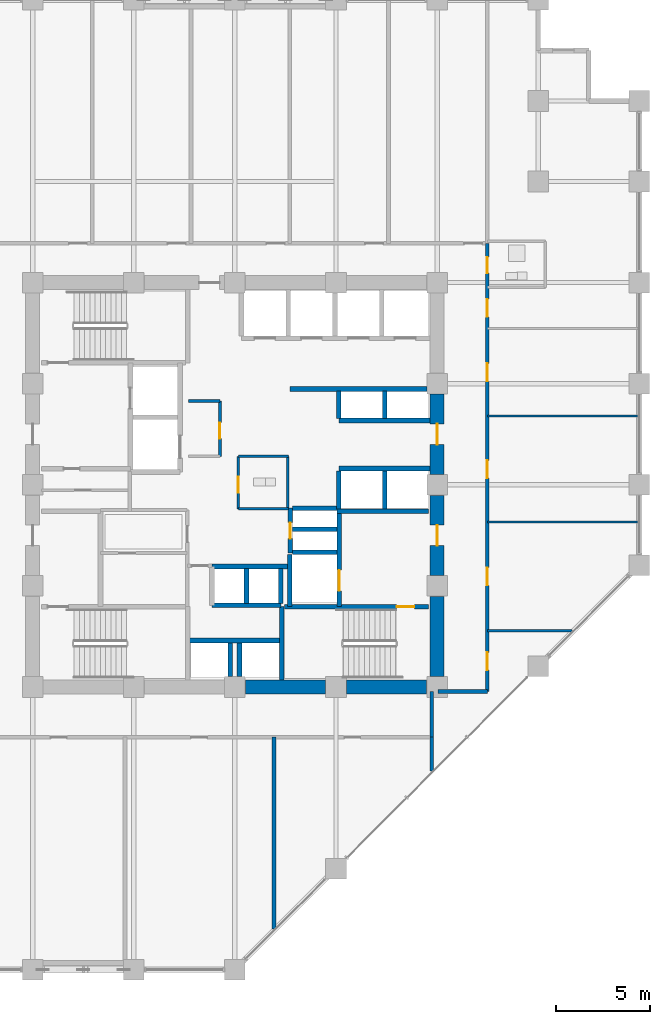
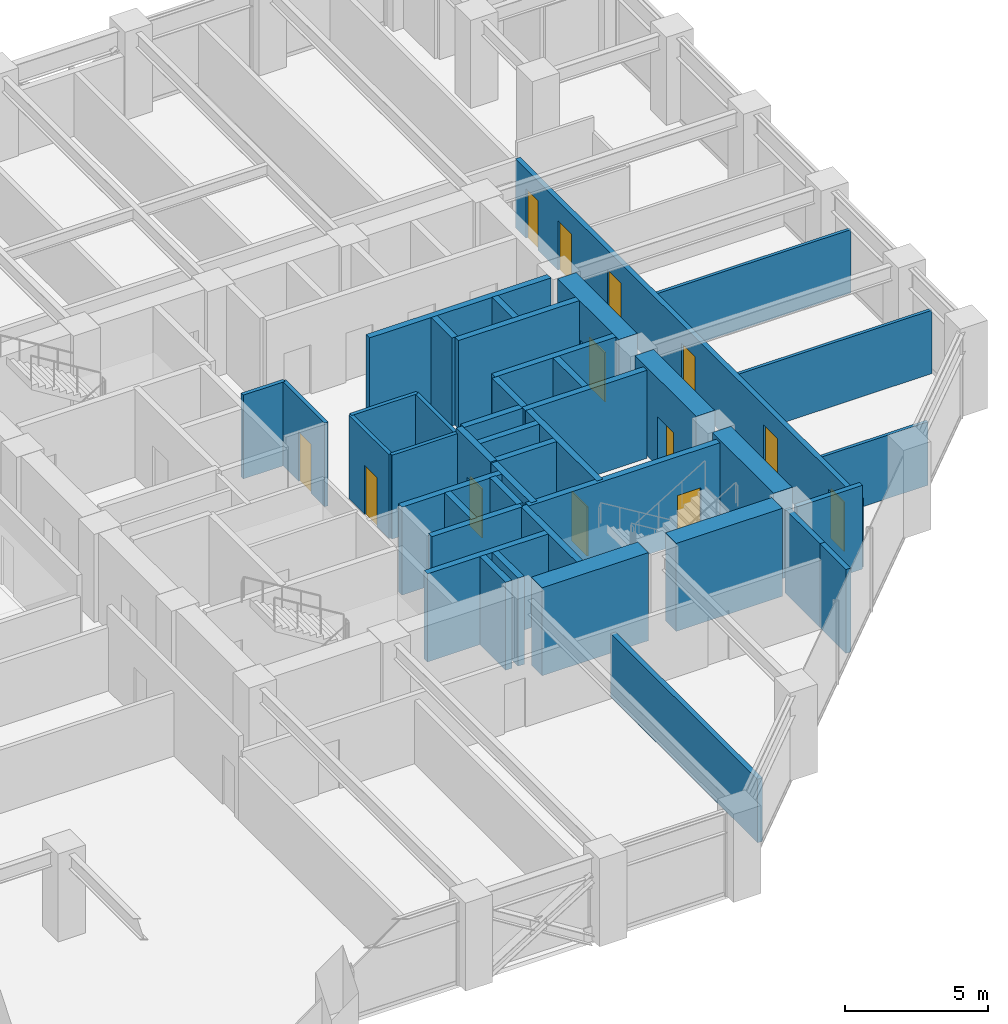
# One storey, part 20 of 25: 42 walls, 13 doors, 13 openings.
"""IFC4 building model written with IfcOpenShell, lengths in metres."""

from ifc_helpers import new_model, si_unit, direction, frame, frame_2d, origin, place, context, subcontext, project, spatial, rectangle, extrude, material, layer, layer_set, type_object, element, fill, save


model = new_model("IFC4")

# Units and contexts
model_context = context("Model", 3, precision=1e-05, world=origin(), true_north=direction((0.0, 1.0)))
body_context = subcontext(model_context, "Body", "Model", "MODEL_VIEW")
ifc_project = project(units=[si_unit("LENGTHUNIT", "METRE"), si_unit("AREAUNIT", "SQUARE_METRE"), si_unit("VOLUMEUNIT", "CUBIC_METRE"), si_unit("PLANEANGLEUNIT", "RADIAN"), si_unit("MASSUNIT", "GRAM", prefix="KILO")], contexts=[model_context])

# Site, building, storey
site_placement = place(None, origin())
site = spatial("IfcSite", under=ifc_project, at=site_placement, CompositionType="ELEMENT")
building_placement = place(site_placement, origin())
building = spatial("IfcBuilding", under=site, at=building_placement, Name="Surkhivell Harbour Commons", CompositionType="ELEMENT")
storey_placement = place(building_placement, frame((0.0, 0.0, 120.75)))
storey = spatial("IfcBuildingStorey", under=building, at=storey_placement, Name="L31", CompositionType="ELEMENT", Elevation=120.75)

# Wall
ifc_material_1 = material(Name="Concrete C60/75", Category="concrete")
ifc_layer_1 = layer(ifc_material_1, 0.75)
ifc_layer_set_1 = layer_set([ifc_layer_1], Name="Concrete C60/75")
wall_type_1 = type_object("IfcWallType", Name="WAL-CORE-750", PredefinedType="SHEAR", material=ifc_layer_set_1)
wall_1_placement = place(storey_placement, frame((10.800048828125, -10.239990234375, 0.0), z_axis=(0.0, 0.0, 1.0), x_axis=(0.0, 1.0, 0.0)))
element("IfcWall", 1, at=wall_1_placement, inside=storey, type_object=wall_type_1, Name="L31 Core Shear Wall East 1", PredefinedType="SHEAR", context=body_context, shape_type="SweptSolid", body=[
    extrude(rectangle(XDim=4.280029296875, YDim=0.75, at=frame_2d((2.14013671875, 0.0))), origin(), (0.0, 0.0, 1.0), 3.75),
])

# Wall, opening, door
wall_2_placement = place(storey_placement, frame((10.800048828125, -4.840087890625, 0.0), z_axis=(0.0, 0.0, 1.0), x_axis=(0.0, 1.0, 0.0)))
wall_2 = element("IfcWall", 2, at=wall_2_placement, inside=storey, type_object=wall_type_1, Name="L31 Core Shear Wall East 2", PredefinedType="SHEAR", context=body_context, shape_type="SweptSolid", body=[
    extrude(rectangle(XDim=4.280029296875, YDim=0.75, at=frame_2d((2.14013671875, 0.0))), origin(), (0.0, 0.0, 1.0), 3.75),
])
opening_1_placement = place(wall_2_placement, frame((1.590087890625, 0.0, 0.0)))
opening_1 = element("IfcOpeningElement", 3, at=opening_1_placement, cuts=wall_2, Name="Opening ID-1", PredefinedType="OPENING", context=body_context, shape_type="SweptSolid", body=[
    extrude(rectangle(XDim=1.10009765625, YDim=2.10009765625, at=frame_2d((0.550048828125, 1.050048828125))), frame((0.0, 0.385009765625, 0.0), z_axis=(0.0, -1.0, 0.0), x_axis=(1.0, 0.0, 0.0)), (0.0, 0.0, 1.0), 0.77001953125),
])
ifc_material_2 = material(Name="Hardwood-veneered fire-rated door leaf", Category="wood")
door_type_1 = type_object("IfcDoorType", Name="DOR-FD120-1100", OperationType="NOTDEFINED", PredefinedType="DOOR", material=ifc_material_2)
door_1_placement = place(opening_1_placement, origin())
door_1 = element("IfcDoor", 4, at=door_1_placement, inside=storey, type_object=door_type_1, Name="L31 Firefighting Lobby 2 Corridor Door", OperationType="SINGLE_SWING_RIGHT", OverallHeight=2.10009765625, OverallWidth=1.10009765625, PredefinedType="DOOR", context=body_context, shape_type="SweptSolid", body=[
    extrude(rectangle(XDim=1.10009765625, YDim=2.10009765625, at=frame_2d((0.550048828125, 1.050048828125))), frame((0.0, 0.02490234375, 0.0), z_axis=(0.0, -1.0, 0.0), x_axis=(1.0, 0.0, 0.0)), (0.0, 0.0, 1.0), 0.050048828125),
])
fill(opening_1, door_1)

# Wall
wall_3_placement = place(storey_placement, frame((0.56005859375, -10.800048828125, 0.0), z_axis=(0.0, 0.0, 1.0), x_axis=(1.0, 0.0, 0.0)))
element("IfcWall", 5, at=wall_3_placement, inside=storey, type_object=wall_type_1, Name="L31 Core Shear Wall South 3", PredefinedType="SHEAR", context=body_context, shape_type="SweptSolid", body=[
    extrude(rectangle(XDim=4.280029296875, YDim=0.75, at=frame_2d((2.14013671875, 0.0))), origin(), (0.0, 0.0, 1.0), 3.75),
])

# Wall, opening, door
wall_4_placement = place(storey_placement, frame((10.800048828125, 0.56005859375, 0.0), z_axis=(0.0, 0.0, 1.0), x_axis=(0.0, 1.0, 0.0)))
wall_4 = element("IfcWall", 6, at=wall_4_placement, inside=storey, type_object=wall_type_1, Name="L31 Core Shear Wall East 3", PredefinedType="SHEAR", context=body_context, shape_type="SweptSolid", body=[
    extrude(rectangle(XDim=4.280029296875, YDim=0.75, at=frame_2d((2.14013671875, 0.0))), origin(), (0.0, 0.0, 1.0), 3.75),
])
opening_2_placement = place(wall_4_placement, frame((1.590087890625, 0.0, 0.0)))
opening_2 = element("IfcOpeningElement", 7, at=opening_2_placement, cuts=wall_4, Name="Opening ID-2", PredefinedType="OPENING", context=body_context, shape_type="SweptSolid", body=[
    extrude(rectangle(XDim=1.10009765625, YDim=2.10009765625, at=frame_2d((0.550048828125, 1.050048828125))), frame((0.0, 0.385009765625, 0.0), z_axis=(0.0, -1.0, 0.0), x_axis=(1.0, 0.0, 0.0)), (0.0, 0.0, 1.0), 0.77001953125),
])
door_type_2 = type_object("IfcDoorType", Name="DOR-FD60-1100", OperationType="NOTDEFINED", PredefinedType="DOOR", material=ifc_material_2)
door_2_placement = place(opening_2_placement, origin())
door_2 = element("IfcDoor", 8, at=door_2_placement, inside=storey, type_object=door_type_2, Name="L31 Mid-Rise Lobby East Door", OperationType="SINGLE_SWING_LEFT", OverallHeight=2.10009765625, OverallWidth=1.10009765625, PredefinedType="DOOR", context=body_context, shape_type="SweptSolid", body=[
    extrude(rectangle(XDim=1.10009765625, YDim=2.10009765625, at=frame_2d((0.550048828125, 1.050048828125))), frame((0.0, 0.02490234375, 0.0), z_axis=(0.0, -1.0, 0.0), x_axis=(1.0, 0.0, 0.0)), (0.0, 0.0, 1.0), 0.050048828125),
])
fill(opening_2, door_2)

# Walls
wall_5_placement = place(storey_placement, frame((5.9599609375, -10.800048828125, 0.0), z_axis=(0.0, 0.0, 1.0), x_axis=(1.0, 0.0, 0.0)))
element("IfcWall", 9, at=wall_5_placement, inside=storey, type_object=wall_type_1, Name="L31 Core Shear Wall South 4", PredefinedType="SHEAR", context=body_context, shape_type="SweptSolid", body=[
    extrude(rectangle(XDim=4.280029296875, YDim=0.75, at=frame_2d((2.14013671875, 0.0))), origin(), (0.0, 0.0, 1.0), 3.75),
])
ifc_material_3 = material(Name="Moisture-resistant acoustic stud partition", Category="other")
ifc_layer_2 = layer(ifc_material_3, 0.125)
ifc_layer_set_2 = layer_set([ifc_layer_2], Name="Moisture-resistant acoustic stud partition")
wall_type_2 = type_object("IfcWallType", Name="WAL-INT-125", PredefinedType="PARTITIONING", material=ifc_layer_set_2)
for number, where, z_axis, x_axis, name in (
    (10, (13.47998046875, -1.989990234375, 0.0), (0.0, 0.0, 1.0), (1.0, 0.0, 0.0), "L31 East Partition BDP1"),
    (11, (13.47998046875, 3.669921875, 0.0), (0.0, 0.0, 1.0), (1.0, 0.0, 0.0), "L31 East Partition BDP2"),
):
    element("IfcWall", number, at=place(storey_placement, frame(where, z_axis=z_axis, x_axis=x_axis)), inside=storey, type_object=wall_type_2, Name=name, PredefinedType="PARTITIONING", context=body_context, shape_type="SweptSolid", body=[
        extrude(rectangle(XDim=8.06005859375, YDim=0.125, at=frame_2d((4.030029296875, 0.0))), origin(), (0.0, 0.0, 1.0), 2.698974609375),
    ])
wall_6_placement = place(storey_placement, frame((13.47998046875, -7.800048828125, 0.0), z_axis=(0.0, 0.0, 1.0), x_axis=(1.0, 0.0, 0.0)))
element("IfcWall", 12, at=wall_6_placement, inside=storey, type_object=wall_type_2, Name="L31 East Partition PBOT", PredefinedType="PARTITIONING", context=body_context, shape_type="SweptSolid", body=[
    extrude(rectangle(XDim=4.53515625, YDim=0.125, at=frame_2d((2.267578125, 0.0))), origin(), (0.0, 0.0, 1.0), 2.698974609375),
])
ifc_material_4 = material(Name="Twin-stud acoustic fireboard partition", Category="other")
ifc_layer_3 = layer(ifc_material_4, 0.14990234375)
ifc_layer_set_3 = layer_set([ifc_layer_3], Name="Twin-stud acoustic fireboard partition")
wall_type_3 = type_object("IfcWallType", Name="WAL-INT-150", PredefinedType="PARTITIONING", material=ifc_layer_set_3)
wall_7_placement = place(storey_placement, frame((2.820068359375, -1.25, 0.0), z_axis=(0.0, 0.0, 1.0), x_axis=(0.0, 1.0, 0.0)))
element("IfcWall", 13, at=wall_7_placement, inside=storey, type_object=wall_type_3, Name="L31 Core WC East Wall", PredefinedType="PARTITIONING", context=body_context, shape_type="SweptSolid", body=[
    extrude(rectangle(XDim=2.77001953125, YDim=0.14990234375, at=frame_2d((1.385009765625, 0.0))), origin(), (0.0, 0.0, 1.0), 3.570068359375),
])
for number, where, z_axis, x_axis, name in (
    (14, (0.179931640625, 1.52001953125, 0.0), (0.0, 0.0, 1.0), (1.0, 0.0, 0.0), "L31 Core WC North Wall"),
    (15, (0.179931640625, -1.280029296875, 0.0), (0.0, 0.0, 1.0), (1.0, 0.0, 0.0), "L31 Core WC South Wall"),
):
    element("IfcWall", number, at=place(storey_placement, frame(where, z_axis=z_axis, x_axis=x_axis)), inside=storey, type_object=wall_type_3, Name=name, PredefinedType="PARTITIONING", context=body_context, shape_type="SweptSolid", body=[
        extrude(rectangle(XDim=2.670166015625, YDim=0.14990234375, at=frame_2d((1.3349609375, 0.0))), origin(), (0.0, 0.0, 1.0), 3.570068359375),
    ])

# Wall, opening, door
wall_8_placement = place(storey_placement, frame((0.179931640625, -1.280029296875, 0.0), z_axis=(0.0, 0.0, 1.0), x_axis=(0.0, 1.0, 0.0)))
wall_8 = element("IfcWall", 16, at=wall_8_placement, inside=storey, type_object=wall_type_3, Name="L31 Core Accessible WC West Wall", PredefinedType="PARTITIONING", context=body_context, shape_type="SweptSolid", body=[
    extrude(rectangle(XDim=2.800048828125, YDim=0.14990234375, at=frame_2d((1.39990234375, 0.0))), origin(), (0.0, 0.0, 1.0), 3.570068359375),
])
opening_3_placement = place(wall_8_placement, frame((0.85009765625, 0.0, 0.0)))
opening_3 = element("IfcOpeningElement", 17, at=opening_3_placement, cuts=wall_8, Name="Opening ID-6", PredefinedType="OPENING", context=body_context, shape_type="SweptSolid", body=[
    extrude(rectangle(XDim=0.85009765625, YDim=2.10009765625, at=frame_2d((0.425048828125, 1.050048828125))), frame((0.0, 0.0849609375, 0.0), z_axis=(0.0, -1.0, 0.0), x_axis=(1.0, 0.0, 0.0)), (0.0, 0.0, 1.0), 0.169921875),
])
door_type_3 = type_object("IfcDoorType", Name="DOR-FD30-850", OperationType="NOTDEFINED", PredefinedType="DOOR", material=ifc_material_2)
door_3_placement = place(opening_3_placement, origin())
door_3 = element("IfcDoor", 18, at=door_3_placement, inside=storey, type_object=door_type_3, Name="L31 Floor Accessible WC Door", OperationType="SINGLE_SWING_RIGHT", OverallHeight=2.10009765625, OverallWidth=0.85009765625, PredefinedType="DOOR", context=body_context, shape_type="SweptSolid", body=[
    extrude(rectangle(XDim=0.85009765625, YDim=2.10009765625, at=frame_2d((0.425048828125, 1.050048828125))), frame((0.0, 0.02490234375, 0.0), z_axis=(0.0, -1.0, 0.0), x_axis=(1.0, 0.0, 0.0)), (0.0, 0.0, 1.0), 0.050048828125),
])
fill(opening_3, door_3)

wall_9_placement = place(storey_placement, frame((-0.800048828125, 1.52001953125, 0.0), z_axis=(0.0, 0.0, 1.0), x_axis=(0.0, 1.0, 0.0)))
wall_9 = element("IfcWall", 19, at=wall_9_placement, inside=storey, type_object=wall_type_3, Name="L31 Core Seminar East Wall", PredefinedType="PARTITIONING", context=body_context, shape_type="SweptSolid", body=[
    extrude(rectangle(XDim=2.9599609375, YDim=0.14990234375, at=frame_2d((1.47998046875, 0.0))), origin(), (0.0, 0.0, 1.0), 3.570068359375),
])
opening_4_placement = place(wall_9_placement, frame((0.949951171875, 0.0, 0.0)))
opening_4 = element("IfcOpeningElement", 20, at=opening_4_placement, cuts=wall_9, Name="Opening ID-6", PredefinedType="OPENING", context=body_context, shape_type="SweptSolid", body=[
    extrude(rectangle(XDim=0.85009765625, YDim=2.10009765625, at=frame_2d((0.425048828125, 1.050048828125))), frame((0.0, 0.0849609375, 0.0), z_axis=(0.0, -1.0, 0.0), x_axis=(1.0, 0.0, 0.0)), (0.0, 0.0, 1.0), 0.169921875),
])
door_4_placement = place(opening_4_placement, origin())
door_4 = element("IfcDoor", 21, at=door_4_placement, inside=storey, type_object=door_type_3, Name="L31 Central Seminar Door", OperationType="SINGLE_SWING_LEFT", OverallHeight=2.10009765625, OverallWidth=0.85009765625, PredefinedType="DOOR", context=body_context, shape_type="SweptSolid", body=[
    extrude(rectangle(XDim=0.85009765625, YDim=2.10009765625, at=frame_2d((0.425048828125, 1.050048828125))), frame((0.0, 0.02490234375, 0.0), z_axis=(0.0, -1.0, 0.0), x_axis=(1.0, 0.0, 0.0)), (0.0, 0.0, 1.0), 0.050048828125),
])
fill(opening_4, door_4)

# Walls
wall_10_placement = place(storey_placement, frame((-2.47998046875, 4.47998046875, 0.0), z_axis=(0.0, 0.0, 1.0), x_axis=(1.0, 0.0, 0.0)))
element("IfcWall", 22, at=wall_10_placement, inside=storey, type_object=wall_type_3, Name="L31 Core Seminar North Wall", PredefinedType="PARTITIONING", context=body_context, shape_type="SweptSolid", body=[
    extrude(rectangle(XDim=1.679931640625, YDim=0.14990234375, at=frame_2d((0.83984375, 0.0))), origin(), (0.0, 0.0, 1.0), 3.570068359375),
])
ifc_material_5 = material(Name="Autoclaved aerated concrete blockwork and fire plaster", Category="masonry")
ifc_layer_4 = layer(ifc_material_5, 0.199951171875)
ifc_layer_set_4 = layer_set([ifc_layer_4], Name="Autoclaved aerated concrete blockwork and fire plaster")
wall_type_4 = type_object("IfcWallType", Name="WAL-INT-200", PredefinedType="PARTITIONING", material=ifc_layer_set_4)
wall_11_placement = place(storey_placement, frame((10.52001953125, -15.295166015625, 0.0), z_axis=(0.0, 0.0, 1.0), x_axis=(0.0, 1.0, 0.0)))
element("IfcWall", 23, at=wall_11_placement, inside=storey, type_object=wall_type_4, Name="L31 South-East Wing Corner Divider", PredefinedType="PARTITIONING", context=body_context, shape_type="SweptSolid", body=[
    extrude(rectangle(XDim=1.815185546875, YDim=0.199951171875, at=frame_2d((0.90771484375, 0.0))), origin(), (0.0, 0.0, 1.0), 3.570068359375),
])

# Wall, openings, doors
wall_12_placement = place(storey_placement, frame((13.47998046875, -11.0400390625, 0.0), z_axis=(0.0, 0.0, 1.0), x_axis=(0.0, 1.0, 0.0)))
wall_12 = element("IfcWall", 24, at=wall_12_placement, inside=storey, type_object=wall_type_4, Name="L31 Corridor East Wall", PredefinedType="PARTITIONING", context=body_context, shape_type="SweptSolid", body=[
    extrude(rectangle(XDim=23.93994140625, YDim=0.199951171875, at=frame_2d((11.969970703125, 0.0))), origin(), (0.0, 0.0, 1.0), 2.93310546875),
])
opening_5_placement = place(wall_12_placement, frame((1.139892578125, 0.0, 0.0)))
opening_5 = element("IfcOpeningElement", 25, at=opening_5_placement, cuts=wall_12, Name="Opening ID-4", PredefinedType="OPENING", context=body_context, shape_type="SweptSolid", body=[
    extrude(rectangle(XDim=0.949951171875, YDim=2.10009765625, at=frame_2d((0.47509765625, 1.050048828125))), frame((0.0, 0.10986328125, 0.0), z_axis=(0.0, -1.0, 0.0), x_axis=(1.0, 0.0, 0.0)), (0.0, 0.0, 1.0), 0.219970703125),
])
opening_6_placement = place(wall_12_placement, frame((22.344970703125, 0.0, 0.0)))
opening_6 = element("IfcOpeningElement", 26, at=opening_6_placement, cuts=wall_12, Name="Opening ID-6", PredefinedType="OPENING", context=body_context, shape_type="SweptSolid", body=[
    extrude(rectangle(XDim=0.85009765625, YDim=2.10009765625, at=frame_2d((0.425048828125, 1.050048828125))), frame((0.0, 0.10986328125, 0.0), z_axis=(0.0, -1.0, 0.0), x_axis=(1.0, 0.0, 0.0)), (0.0, 0.0, 1.0), 0.219970703125),
])
opening_7_placement = place(wall_12_placement, frame((20.010009765625, 0.0, 0.0)))
opening_7 = element("IfcOpeningElement", 27, at=opening_7_placement, cuts=wall_12, Name="Opening ID-4", PredefinedType="OPENING", context=body_context, shape_type="SweptSolid", body=[
    extrude(rectangle(XDim=0.949951171875, YDim=2.10009765625, at=frame_2d((0.47509765625, 1.050048828125))), frame((0.0, 0.10986328125, 0.0), z_axis=(0.0, -1.0, 0.0), x_axis=(1.0, 0.0, 0.0)), (0.0, 0.0, 1.0), 0.219970703125),
])
opening_8_placement = place(wall_12_placement, frame((5.6650390625, 0.0, 0.0)))
opening_8 = element("IfcOpeningElement", 28, at=opening_8_placement, cuts=wall_12, Name="Opening ID-4", PredefinedType="OPENING", context=body_context, shape_type="SweptSolid", body=[
    extrude(rectangle(XDim=0.949951171875, YDim=2.10009765625, at=frame_2d((0.47509765625, 1.050048828125))), frame((0.0, 0.10986328125, 0.0), z_axis=(0.0, -1.0, 0.0), x_axis=(1.0, 0.0, 0.0)), (0.0, 0.0, 1.0), 0.219970703125),
])
opening_9_placement = place(wall_12_placement, frame((11.39990234375, 0.0, 0.0)))
opening_9 = element("IfcOpeningElement", 29, at=opening_9_placement, cuts=wall_12, Name="Opening ID-4", PredefinedType="OPENING", context=body_context, shape_type="SweptSolid", body=[
    extrude(rectangle(XDim=0.949951171875, YDim=2.10009765625, at=frame_2d((0.47509765625, 1.050048828125))), frame((0.0, 0.10986328125, 0.0), z_axis=(0.0, -1.0, 0.0), x_axis=(1.0, 0.0, 0.0)), (0.0, 0.0, 1.0), 0.219970703125),
])
opening_10_placement = place(wall_12_placement, frame((16.570068359375, 0.0, 0.0)))
opening_10 = element("IfcOpeningElement", 30, at=opening_10_placement, cuts=wall_12, Name="Opening ID-4", PredefinedType="OPENING", context=body_context, shape_type="SweptSolid", body=[
    extrude(rectangle(XDim=0.949951171875, YDim=2.10009765625, at=frame_2d((0.47509765625, 1.050048828125))), frame((0.0, 0.10986328125, 0.0), z_axis=(0.0, -1.0, 0.0), x_axis=(1.0, 0.0, 0.0)), (0.0, 0.0, 1.0), 0.219970703125),
])
door_5_placement = place(opening_6_placement, origin())
door_5 = element("IfcDoor", 31, at=door_5_placement, inside=storey, type_object=door_type_3, Name="L31 Communal Shower Bathroom East Door", OperationType="SINGLE_SWING_RIGHT", OverallHeight=2.10009765625, OverallWidth=0.85009765625, PredefinedType="DOOR", context=body_context, shape_type="SweptSolid", body=[
    extrude(rectangle(XDim=0.85009765625, YDim=2.10009765625, at=frame_2d((0.425048828125, 1.050048828125))), frame((0.0, 0.02490234375, 0.0), z_axis=(0.0, -1.0, 0.0), x_axis=(1.0, 0.0, 0.0)), (0.0, 0.0, 1.0), 0.050048828125),
])
fill(opening_6, door_5)
door_type_4 = type_object("IfcDoorType", Name="DOR-FD60-950", OperationType="NOTDEFINED", PredefinedType="DOOR", material=ifc_material_2)
door_6_placement = place(opening_5_placement, origin())
door_6 = element("IfcDoor", 32, at=door_6_placement, inside=storey, type_object=door_type_4, Name="L31 Shared Communal Kitchen East Door", OperationType="SINGLE_SWING_LEFT", OverallHeight=2.10009765625, OverallWidth=0.949951171875, PredefinedType="DOOR", context=body_context, shape_type="SweptSolid", body=[
    extrude(rectangle(XDim=0.949951171875, YDim=2.10009765625, at=frame_2d((0.47509765625, 1.050048828125))), frame((0.0, 0.02490234375, 0.0), z_axis=(0.0, -1.0, 0.0), x_axis=(1.0, 0.0, 0.0)), (0.0, 0.0, 1.0), 0.050048828125),
])
fill(opening_5, door_6)
door_7_placement = place(opening_7_placement, origin())
door_7 = element("IfcDoor", 33, at=door_7_placement, inside=storey, type_object=door_type_4, Name="L31 Academic Reading Commons East Door", OperationType="SINGLE_SWING_LEFT", OverallHeight=2.10009765625, OverallWidth=0.949951171875, PredefinedType="DOOR", context=body_context, shape_type="SweptSolid", body=[
    extrude(rectangle(XDim=0.949951171875, YDim=2.10009765625, at=frame_2d((0.47509765625, 1.050048828125))), frame((0.0, 0.02490234375, 0.0), z_axis=(0.0, -1.0, 0.0), x_axis=(1.0, 0.0, 0.0)), (0.0, 0.0, 1.0), 0.050048828125),
])
fill(opening_7, door_7)
door_8_placement = place(opening_8_placement, origin())
door_8 = element("IfcDoor", 34, at=door_8_placement, inside=storey, type_object=door_type_4, Name="L31 Hostel Cluster Bedroom 1 East Door", OperationType="SINGLE_SWING_RIGHT", OverallHeight=2.10009765625, OverallWidth=0.949951171875, PredefinedType="DOOR", context=body_context, shape_type="SweptSolid", body=[
    extrude(rectangle(XDim=0.949951171875, YDim=2.10009765625, at=frame_2d((0.47509765625, 1.050048828125))), frame((0.0, 0.02490234375, 0.0), z_axis=(0.0, -1.0, 0.0), x_axis=(1.0, 0.0, 0.0)), (0.0, 0.0, 1.0), 0.050048828125),
])
fill(opening_8, door_8)
door_9_placement = place(opening_9_placement, origin())
door_9 = element("IfcDoor", 35, at=door_9_placement, inside=storey, type_object=door_type_4, Name="L31 Co-Living Dormitory Bedroom 2 East Door", OperationType="SINGLE_SWING_LEFT", OverallHeight=2.10009765625, OverallWidth=0.949951171875, PredefinedType="DOOR", context=body_context, shape_type="SweptSolid", body=[
    extrude(rectangle(XDim=0.949951171875, YDim=2.10009765625, at=frame_2d((0.47509765625, 1.050048828125))), frame((0.0, 0.02490234375, 0.0), z_axis=(0.0, -1.0, 0.0), x_axis=(1.0, 0.0, 0.0)), (0.0, 0.0, 1.0), 0.050048828125),
])
fill(opening_9, door_9)
door_10_placement = place(opening_10_placement, origin())
door_10 = element("IfcDoor", 36, at=door_10_placement, inside=storey, type_object=door_type_4, Name="L31 Hostel Cluster Bedroom 3 East Door", OperationType="SINGLE_SWING_RIGHT", OverallHeight=2.10009765625, OverallWidth=0.949951171875, PredefinedType="DOOR", context=body_context, shape_type="SweptSolid", body=[
    extrude(rectangle(XDim=0.949951171875, YDim=2.10009765625, at=frame_2d((0.47509765625, 1.050048828125))), frame((0.0, 0.02490234375, 0.0), z_axis=(0.0, -1.0, 0.0), x_axis=(1.0, 0.0, 0.0)), (0.0, 0.0, 1.0), 0.050048828125),
])
fill(opening_10, door_10)

# Walls
wall_13_placement = place(storey_placement, frame((10.85009765625, -11.0400390625, 0.0), z_axis=(0.0, 0.0, 1.0), x_axis=(1.0, 0.0, 0.0)))
element("IfcWall", 37, at=wall_13_placement, inside=storey, type_object=wall_type_4, Name="L31 Corridor East South Closure Wall", PredefinedType="PARTITIONING", context=body_context, shape_type="SweptSolid", body=[
    extrude(rectangle(XDim=2.6298828125, YDim=0.199951171875, at=frame_2d((1.31494140625, 0.0))), origin(), (0.0, 0.0, 1.0), 3.570068359375),
])
wall_14_placement = place(storey_placement, frame((10.52001953125, -13.47998046875, 0.0), z_axis=(0.0, 0.0, 1.0), x_axis=(0.0, 1.0, 0.0)))
element("IfcWall", 38, at=wall_14_placement, inside=storey, type_object=wall_type_4, Name="L31 Corridor SE Closure Wall", PredefinedType="PARTITIONING", context=body_context, shape_type="SweptSolid", body=[
    extrude(rectangle(XDim=2.43994140625, YDim=0.199951171875, at=frame_2d((1.219970703125, 0.0))), origin(), (0.0, 0.0, 1.0), 3.570068359375),
])
wall_15_placement = place(storey_placement, frame((2.090087890625, -23.72509765625, 0.0), z_axis=(0.0, 0.0, 1.0), x_axis=(0.0, 1.0, 0.0)))
element("IfcWall", 39, at=wall_15_placement, inside=storey, type_object=wall_type_4, Name="L31 South Partition P2", PredefinedType="PARTITIONING", context=body_context, shape_type="SweptSolid", body=[
    extrude(rectangle(XDim=10.2451171875, YDim=0.199951171875, at=frame_2d((5.12255859375, 0.0))), origin(), (0.0, 0.0, 1.0), 2.698974609375),
])
ifc_material_6 = material(Name="Concrete C50/60", Category="concrete")
ifc_layer_5 = layer(ifc_material_6, 0.25)
ifc_layer_set_5 = layer_set([ifc_layer_5], Name="Concrete C50/60")
wall_type_5 = type_object("IfcWallType", Name="WAL-SHAFT-250", PredefinedType="SHEAR", material=ifc_layer_set_5)
wall_16_placement = place(storey_placement, frame((2.929931640625, -6.510009765625, 0.0), z_axis=(0.0, 0.0, 1.0), x_axis=(0.0, 1.0, 0.0)))
element("IfcWall", 40, at=wall_16_placement, inside=storey, type_object=wall_type_5, Name="L31 FFL2 West Shaft Wall", PredefinedType="SHEAR", context=body_context, shape_type="SweptSolid", body=[
    extrude(rectangle(XDim=2.7900390625, YDim=0.25, at=frame_2d((1.39501953125, 0.0))), origin(), (0.0, 0.0, 1.0), 3.75),
])
wall_17_placement = place(storey_placement, frame((5.43994140625, -1.419921875, 0.0), z_axis=(0.0, 0.0, 1.0), x_axis=(1.0, 0.0, 0.0)))
element("IfcWall", 41, at=wall_17_placement, inside=storey, type_object=wall_type_5, Name="L31 Firefighting Lobby 2 North Wall", PredefinedType="SHEAR", context=body_context, shape_type="SweptSolid", body=[
    extrude(rectangle(XDim=4.900146484375, YDim=0.25, at=frame_2d((2.4501953125, 0.0))), origin(), (0.0, 0.0, 1.0), 3.75),
])
wall_18_placement = place(storey_placement, frame((3.080078125, -3.60009765625, 0.0), z_axis=(0.0, 0.0, 1.0), x_axis=(1.0, 0.0, 0.0)))
element("IfcWall", 42, at=wall_18_placement, inside=storey, type_object=wall_type_5, Name="L31 FFL2 North Shaft Wall", PredefinedType="SHEAR", context=body_context, shape_type="SweptSolid", body=[
    extrude(rectangle(XDim=2.369873046875, YDim=0.25, at=frame_2d((1.18505859375, 0.0))), origin(), (0.0, 0.0, 1.0), 3.75),
])

# Wall, opening, door
wall_19_placement = place(storey_placement, frame((5.580078125, -6.510009765625, 0.0), z_axis=(0.0, 0.0, 1.0), x_axis=(0.0, 1.0, 0.0)))
wall_19 = element("IfcWall", 43, at=wall_19_placement, inside=storey, type_object=wall_type_5, Name="L31 Firefighting Lobby 2 West Shaft Wall", PredefinedType="SHEAR", context=body_context, shape_type="SweptSolid", body=[
    extrude(rectangle(XDim=5.090087890625, YDim=0.25, at=frame_2d((2.544921875, 0.0))), origin(), (0.0, 0.0, 1.0), 3.75),
])
opening_11_placement = place(wall_19_placement, frame((0.85009765625, 0.0, 0.0)))
opening_11 = element("IfcOpeningElement", 44, at=opening_11_placement, cuts=wall_19, Name="Opening LD-1", PredefinedType="OPENING", context=body_context, shape_type="SweptSolid", body=[
    extrude(rectangle(XDim=1.10009765625, YDim=2.10009765625, at=frame_2d((0.550048828125, 1.050048828125))), frame((0.0, 0.135009765625, 0.0), z_axis=(0.0, -1.0, 0.0), x_axis=(1.0, 0.0, 0.0)), (0.0, 0.0, 1.0), 0.27001953125),
])
ifc_material_7 = material(Name="Brushed stainless steel S355", Category="steel")
door_type_5 = type_object("IfcDoorType", Name="DOR-LD-1100", OperationType="SLIDING_TO_LEFT", PredefinedType="DOOR", material=ifc_material_7)
door_11_placement = place(opening_11_placement, origin())
door_11 = element("IfcDoor", 45, at=door_11_placement, inside=storey, type_object=door_type_5, Name="L31 Lift Landing Door LD-FFL2", OperationType="SLIDING_TO_RIGHT", OverallHeight=2.10009765625, OverallWidth=1.10009765625, PredefinedType="DOOR", context=body_context, shape_type="SweptSolid", body=[
    extrude(rectangle(XDim=1.10009765625, YDim=2.10009765625, at=frame_2d((0.550048828125, 1.050048828125))), frame((0.0, 0.02490234375, 0.0), z_axis=(0.0, -1.0, 0.0), x_axis=(1.0, 0.0, 0.0)), (0.0, 0.0, 1.0), 0.050048828125),
])
fill(opening_11, door_11)

# Walls
for number, where, z_axis, x_axis, name in (
    (46, (0.6201171875, -6.340087890625, 0.0), (0.0, 0.0, 1.0), (0.0, 1.0, 0.0), "L31 High-Rise Side Wall N"),
    (47, (2.449951171875, -6.340087890625, 0.0), (0.0, 0.0, 1.0), (0.0, 1.0, 0.0), "L31 High-Rise Side Wall N"),
):
    element("IfcWall", number, at=place(storey_placement, frame(where, z_axis=z_axis, x_axis=x_axis)), inside=storey, type_object=wall_type_5, Name=name, PredefinedType="SHEAR", context=body_context, shape_type="SweptSolid", body=[
        extrude(rectangle(XDim=1.880126953125, YDim=0.25, at=frame_2d((0.93994140625, 0.0))), origin(), (0.0, 0.0, 1.0), 3.75),
    ])
for number, where, z_axis, x_axis, name in (
    (48, (-0.25, -10.25, 0.0), (0.0, 0.0, 1.0), (0.0, 1.0, 0.0), "L31 High-Rise Side Wall S"),
    (49, (0.25, -10.25, 0.0), (0.0, 0.0, 1.0), (0.0, 1.0, 0.0), "L31 High-Rise Side Wall S"),
):
    element("IfcWall", number, at=place(storey_placement, frame(where, z_axis=z_axis, x_axis=x_axis)), inside=storey, type_object=wall_type_5, Name=name, PredefinedType="SHEAR", context=body_context, shape_type="SweptSolid", body=[
        extrude(rectangle(XDim=1.81005859375, YDim=0.25, at=frame_2d((0.905029296875, 0.0))), origin(), (0.0, 0.0, 1.0), 3.75),
    ])
wall_20_placement = place(storey_placement, frame((-1.219970703125, -6.43994140625, 0.0), z_axis=(0.0, 0.0, 1.0), x_axis=(1.0, 0.0, 0.0)))
element("IfcWall", 50, at=wall_20_placement, inside=storey, type_object=wall_type_5, Name="L31 High-Rise North Front Shaft Wall", PredefinedType="SHEAR", context=body_context, shape_type="SweptSolid", body=[
    extrude(rectangle(XDim=3.669921875, YDim=0.25, at=frame_2d((1.8349609375, 0.0))), origin(), (0.0, 0.0, 1.0), 3.75),
])
wall_21_placement = place(storey_placement, frame((-2.47998046875, -8.320068359375, 0.0), z_axis=(0.0, 0.0, 1.0), x_axis=(1.0, 0.0, 0.0)))
element("IfcWall", 51, at=wall_21_placement, inside=storey, type_object=wall_type_5, Name="L31 High-Rise South Front Shaft Wall", PredefinedType="SHEAR", context=body_context, shape_type="SweptSolid", body=[
    extrude(rectangle(XDim=4.929931640625, YDim=0.25, at=frame_2d((2.46484375, 0.0))), origin(), (0.0, 0.0, 1.0), 3.75),
])
wall_22_placement = place(storey_placement, frame((-1.219970703125, -4.360107421875, 0.0), z_axis=(0.0, 0.0, 1.0), x_axis=(1.0, 0.0, 0.0)))
element("IfcWall", 52, at=wall_22_placement, inside=storey, type_object=wall_type_5, Name="L31 High-Rise North Back Shaft Wall", PredefinedType="SHEAR", context=body_context, shape_type="SweptSolid", body=[
    extrude(rectangle(XDim=4.030029296875, YDim=0.25, at=frame_2d((2.01513671875, 0.0))), origin(), (0.0, 0.0, 1.0), 3.75),
])
wall_23_placement = place(storey_placement, frame((2.949951171875, 5.1201171875, 0.0), z_axis=(0.0, 0.0, 1.0), x_axis=(1.0, 0.0, 0.0)))
element("IfcWall", 53, at=wall_23_placement, inside=storey, type_object=wall_type_5, Name="L31 Low-Rise Lobby South Wall", PredefinedType="SHEAR", context=body_context, shape_type="SweptSolid", body=[
    extrude(rectangle(XDim=7.300048828125, YDim=0.25, at=frame_2d((3.64990234375, 0.0))), origin(), (0.0, 0.0, 1.0), 3.75),
])
for number, where, z_axis, x_axis, name in (
    (54, (5.550048828125, 3.550048828125, 0.0), (0.0, 0.0, 1.0), (0.0, 1.0, 0.0), "L31 Mid-Rise Shaft Side Wall N"),
    (55, (8.0, 3.550048828125, 0.0), (0.0, 0.0, 1.0), (0.0, 1.0, 0.0), "L31 Mid-Rise Shaft Side Wall N"),
):
    element("IfcWall", number, at=place(storey_placement, frame(where, z_axis=z_axis, x_axis=x_axis)), inside=storey, type_object=wall_type_5, Name=name, PredefinedType="SHEAR", context=body_context, shape_type="SweptSolid", body=[
        extrude(rectangle(XDim=1.449951171875, YDim=0.25, at=frame_2d((0.72509765625, 0.0))), origin(), (0.0, 0.0, 1.0), 3.75),
    ])
for number, where, z_axis, x_axis, name in (
    (56, (5.550048828125, -1.300048828125, 0.0), (0.0, 0.0, 1.0), (0.0, 1.0, 0.0), "L31 Mid-Rise Shaft Side Wall S"),
    (57, (8.0, -1.300048828125, 0.0), (0.0, 0.0, 1.0), (0.0, 1.0, 0.0), "L31 Mid-Rise Shaft Side Wall S"),
):
    element("IfcWall", number, at=place(storey_placement, frame(where, z_axis=z_axis, x_axis=x_axis)), inside=storey, type_object=wall_type_5, Name=name, PredefinedType="SHEAR", context=body_context, shape_type="SweptSolid", body=[
        extrude(rectangle(XDim=2.0400390625, YDim=0.25, at=frame_2d((1.02001953125, 0.0))), origin(), (0.0, 0.0, 1.0), 3.75),
    ])
for number, where, z_axis, x_axis, name in (
    (58, (5.550048828125, 3.429931640625, 0.0), (0.0, 0.0, 1.0), (1.0, 0.0, 0.0), "L31 Mid-Rise North Front Shaft Wall"),
    (59, (5.550048828125, 0.8701171875, 0.0), (0.0, 0.0, 1.0), (1.0, 0.0, 0.0), "L31 Mid-Rise South Front Shaft Wall"),
):
    element("IfcWall", number, at=place(storey_placement, frame(where, z_axis=z_axis, x_axis=x_axis)), inside=storey, type_object=wall_type_5, Name=name, PredefinedType="SHEAR", context=body_context, shape_type="SweptSolid", body=[
        extrude(rectangle(XDim=4.875, YDim=0.25, at=frame_2d((2.4375, 0.0))), origin(), (0.0, 0.0, 1.0), 3.75),
    ])
for number, where, z_axis, x_axis, name in (
    (60, (3.080078125, -2.3798828125, 0.0), (0.0, 0.0, 1.0), (1.0, 0.0, 0.0), "L31 Riser Divider Wall"),
    (61, (3.080078125, -1.25, 0.0), (0.0, 0.0, 1.0), (1.0, 0.0, 0.0), "L31 Riser North Wall"),
):
    element("IfcWall", number, at=place(storey_placement, frame(where, z_axis=z_axis, x_axis=x_axis)), inside=storey, type_object=wall_type_5, Name=name, PredefinedType="SHEAR", context=body_context, shape_type="SweptSolid", body=[
        extrude(rectangle(XDim=2.369873046875, YDim=0.25, at=frame_2d((1.18505859375, 0.0))), origin(), (0.0, 0.0, 1.0), 3.75),
    ])

# Wall, opening, door
wall_24_placement = place(storey_placement, frame((2.949951171875, -3.64990234375, 0.0), z_axis=(0.0, 0.0, 1.0), x_axis=(0.0, 1.0, 0.0)))
wall_24 = element("IfcWall", 62, at=wall_24_placement, inside=storey, type_object=wall_type_5, Name="L31 Riser Shaft West Wall", PredefinedType="SHEAR", context=body_context, shape_type="SweptSolid", body=[
    extrude(rectangle(XDim=2.39990234375, YDim=0.25, at=frame_2d((1.199951171875, 0.0))), origin(), (0.0, 0.0, 1.0), 3.75),
])
opening_12_placement = place(wall_24_placement, frame((0.77490234375, 0.0, 0.0)))
opening_12 = element("IfcOpeningElement", 63, at=opening_12_placement, cuts=wall_24, Name="Opening ID-6", PredefinedType="OPENING", context=body_context, shape_type="SweptSolid", body=[
    extrude(rectangle(XDim=0.85009765625, YDim=2.10009765625, at=frame_2d((0.425048828125, 1.050048828125))), frame((0.0, 0.135009765625, 0.0), z_axis=(0.0, -1.0, 0.0), x_axis=(1.0, 0.0, 0.0)), (0.0, 0.0, 1.0), 0.27001953125),
])
door_12_placement = place(opening_12_placement, origin())
door_12 = element("IfcDoor", 64, at=door_12_placement, inside=storey, type_object=door_type_3, Name="L31 Electrical Riser Access Door", OperationType="SINGLE_SWING_LEFT", OverallHeight=2.10009765625, OverallWidth=0.85009765625, PredefinedType="DOOR", context=body_context, shape_type="SweptSolid", body=[
    extrude(rectangle(XDim=0.85009765625, YDim=2.10009765625, at=frame_2d((0.425048828125, 1.050048828125))), frame((0.0, 0.02490234375, 0.0), z_axis=(0.0, -1.0, 0.0), x_axis=(1.0, 0.0, 0.0)), (0.0, 0.0, 1.0), 0.050048828125),
])
fill(opening_12, door_12)

wall_25_placement = place(storey_placement, frame((2.639892578125, -6.510009765625, 0.0), z_axis=(0.0, 0.0, 1.0), x_axis=(1.0, 0.0, 0.0)))
wall_25 = element("IfcWall", 65, at=wall_25_placement, inside=storey, type_object=wall_type_5, Name="L31 Stair ST2 North Shear Wall", PredefinedType="SHEAR", context=body_context, shape_type="SweptSolid", body=[
    extrude(rectangle(XDim=7.7001953125, YDim=0.25, at=frame_2d((3.85009765625, 0.0))), origin(), (0.0, 0.0, 1.0), 3.75),
])
opening_13_placement = place(wall_25_placement, frame((6.0, 0.0, 0.0)))
opening_13 = element("IfcOpeningElement", 66, at=opening_13_placement, cuts=wall_25, Name="Opening ID-4", PredefinedType="OPENING", context=body_context, shape_type="SweptSolid", body=[
    extrude(rectangle(XDim=0.949951171875, YDim=2.10009765625, at=frame_2d((0.47509765625, 1.050048828125))), frame((0.0, 0.135009765625, 0.0), z_axis=(0.0, -1.0, 0.0), x_axis=(1.0, 0.0, 0.0)), (0.0, 0.0, 1.0), 0.27001953125),
])
door_13_placement = place(opening_13_placement, origin())
door_13 = element("IfcDoor", 67, at=door_13_placement, inside=storey, type_object=door_type_4, Name="L31 Stair ST2 Exit Door", OperationType="SINGLE_SWING_RIGHT", OverallHeight=2.10009765625, OverallWidth=0.949951171875, PredefinedType="DOOR", context=body_context, shape_type="SweptSolid", body=[
    extrude(rectangle(XDim=0.949951171875, YDim=2.10009765625, at=frame_2d((0.47509765625, 1.050048828125))), frame((0.0, 0.02490234375, 0.0), z_axis=(0.0, -1.0, 0.0), x_axis=(1.0, 0.0, 0.0)), (0.0, 0.0, 1.0), 0.050048828125),
])
fill(opening_13, door_13)

# Wall
wall_26_placement = place(storey_placement, frame((2.510009765625, -10.425048828125, 0.0), z_axis=(0.0, 0.0, 1.0), x_axis=(0.0, 1.0, 0.0)))
element("IfcWall", 68, at=wall_26_placement, inside=storey, type_object=wall_type_5, Name="L31 Stair ST2 West Shear Wall", PredefinedType="SHEAR", context=body_context, shape_type="SweptSolid", body=[
    extrude(rectangle(XDim=3.9150390625, YDim=0.25, at=frame_2d((1.95751953125, 0.0))), origin(), (0.0, 0.0, 1.0), 3.75),
])

save(model, "model.ifc")
